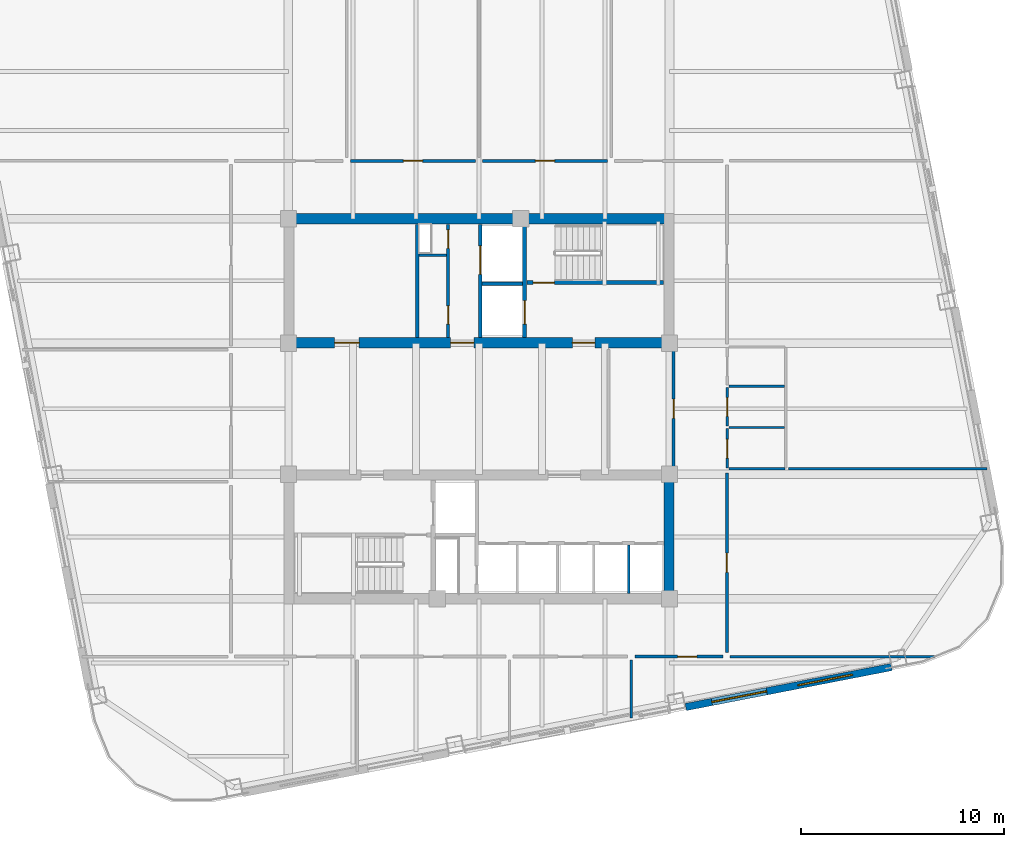
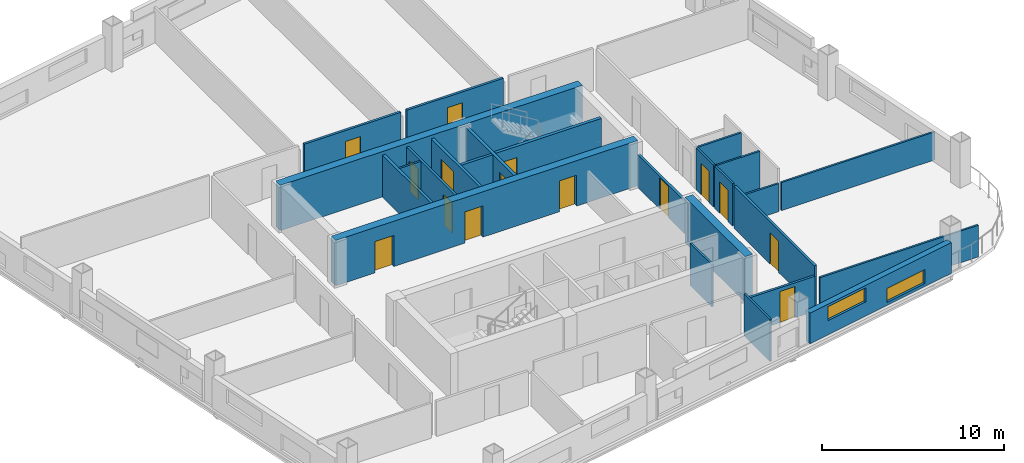
# One storey, part 4 of 9: 25 walls, 15 doors, 2 windows, 17 openings.
"""IFC4 building model written with IfcOpenShell, lengths in metres."""

from ifc_helpers import new_model, si_unit, direction, frame, frame_2d, origin, place, context, subcontext, project, spatial, rectangle, extrude, material, layer, layer_set, type_object, element, fill, save


model = new_model("IFC4")

# Units and contexts
model_context = context("Model", 3, precision=1e-05, world=origin(), true_north=direction((0.0, 1.0)))
body_context = subcontext(model_context, "Body", "Model", "MODEL_VIEW")
ifc_project = project(units=[si_unit("LENGTHUNIT", "METRE"), si_unit("AREAUNIT", "SQUARE_METRE"), si_unit("VOLUMEUNIT", "CUBIC_METRE"), si_unit("PLANEANGLEUNIT", "RADIAN"), si_unit("MASSUNIT", "GRAM", prefix="KILO")], contexts=[model_context])

# Site, building, storey
site_placement = place(None, origin())
site = spatial("IfcSite", under=ifc_project, at=site_placement, CompositionType="ELEMENT")
building_placement = place(site_placement, origin())
building = spatial("IfcBuilding", under=site, at=building_placement, Name="Qhalaya Broadcast Tower", CompositionType="ELEMENT")
storey_placement = place(building_placement, frame((0.0, 0.0, 134.14990234375)))
storey = spatial("IfcBuildingStorey", under=building, at=storey_placement, Name="L39", CompositionType="ELEMENT", Elevation=134.14990234375)

# Wall, openings, doors
ifc_material_1 = material(Name="Gypsum Acoustic Partition")
ifc_layer_1 = layer(ifc_material_1, 0.14990234375, Name="Gypsum Acoustic Partition")
ifc_layer_set_1 = layer_set([ifc_layer_1], Name="Gypsum Acoustic Partition")
wall_type_1 = type_object("IfcWallType", Name="Corridor & Tenancy Acoustic Partition 150", PredefinedType="PARTITIONING", material=ifc_layer_set_1)
wall_1_placement = place(storey_placement, frame((-1.52001953125, 4.1201171875, 0.0), z_axis=(0.0, 0.0, 1.0), x_axis=(0.0, 1.0, 0.0)))
wall_1 = element("IfcWall", 1, at=wall_1_placement, inside=storey, type_object=wall_type_1, Name="L39 Partition Wall NCW-SVL", PredefinedType="PARTITIONING", context=body_context, shape_type="SweptSolid", body=[
    extrude(rectangle(XDim=5.559814453125, YDim=0.14990234375, at=frame_2d((2.77978515625, 0.0))), origin(), (0.0, 0.0, 1.0), 2.830078125),
])
opening_1_placement = place(wall_1_placement, frame((4.3798828125, 0.0, 0.0)))
opening_1 = element("IfcOpeningElement", 2, at=opening_1_placement, cuts=wall_1, Name="Opening D06", PredefinedType="OPENING", context=body_context, shape_type="SweptSolid", body=[
    extrude(rectangle(XDim=0.89990234375, YDim=2.050048828125, at=frame_2d((0.449951171875, 1.02490234375))), frame((0.0, 0.0869140625, 0.0), z_axis=(0.0, -1.0, 0.0), x_axis=(1.0, 0.0, 0.0)), (0.0, 0.0, 1.0), 0.173828125),
])
opening_2_placement = place(wall_1_placement, frame((0.64990234375, 0.0, 0.0)))
opening_2 = element("IfcOpeningElement", 3, at=opening_2_placement, cuts=wall_1, Name="Opening D06", PredefinedType="OPENING", context=body_context, shape_type="SweptSolid", body=[
    extrude(rectangle(XDim=0.89990234375, YDim=2.050048828125, at=frame_2d((0.449951171875, 1.02490234375))), frame((0.0, 0.0869140625, 0.0), z_axis=(0.0, -1.0, 0.0), x_axis=(1.0, 0.0, 0.0)), (0.0, 0.0, 1.0), 0.173828125),
])
ifc_material_2 = material(Name="Fire-Rated Steel Door", Category="steel")
door_type_1 = type_object("IfcDoorType", Name="Riser & Electrical Shaft Access Door D06", OperationType="NOTDEFINED", PredefinedType="DOOR", material=ifc_material_2)
door_1_placement = place(opening_1_placement, origin())
door_1 = element("IfcDoor", 4, at=door_1_placement, inside=storey, type_object=door_type_1, Name="L39 Riser Shaft Access Door D-NRSR", OperationType="SINGLE_SWING_RIGHT", OverallHeight=2.050048828125, OverallWidth=0.89990234375, PredefinedType="DOOR", context=body_context, shape_type="SweptSolid", body=[
    extrude(rectangle(XDim=0.89990234375, YDim=2.050048828125, at=frame_2d((0.449951171875, 1.02490234375))), frame((0.0, 0.02490234375, 0.0), z_axis=(0.0, -1.0, 0.0), x_axis=(1.0, 0.0, 0.0)), (0.0, 0.0, 1.0), 0.050048828125),
])
fill(opening_1, door_1)
door_2_placement = place(opening_2_placement, origin())
door_2 = element("IfcDoor", 5, at=door_2_placement, inside=storey, type_object=door_type_1, Name="L39 Door D-NCST", OperationType="SINGLE_SWING_LEFT", OverallHeight=2.050048828125, OverallWidth=0.89990234375, PredefinedType="DOOR", context=body_context, shape_type="SweptSolid", body=[
    extrude(rectangle(XDim=0.89990234375, YDim=2.050048828125, at=frame_2d((0.449951171875, 1.02490234375))), frame((0.0, 0.02490234375, 0.0), z_axis=(0.0, -1.0, 0.0), x_axis=(1.0, 0.0, 0.0)), (0.0, 0.0, 1.0), 0.050048828125),
])
fill(opening_2, door_2)

# Wall, opening, door
wall_2_placement = place(storey_placement, frame((9.580078125, -2.320068359375, 0.0), z_axis=(0.0, 0.0, 1.0), x_axis=(0.0, 1.0, 0.0)))
wall_2 = element("IfcWall", 6, at=wall_2_placement, inside=storey, type_object=wall_type_1, Name="L39 Partition Wall W-ICHE", PredefinedType="PARTITIONING", context=body_context, shape_type="SweptSolid", body=[
    extrude(rectangle(XDim=5.840087890625, YDim=0.14990234375, at=frame_2d((2.919921875, 0.0))), origin(), (0.0, 0.0, 1.0), 2.197998046875),
])
opening_3_placement = place(wall_2_placement, frame((2.445068359375, 0.0, 0.0)))
opening_3 = element("IfcOpeningElement", 7, at=opening_3_placement, cuts=wall_2, Name="Opening D10", PredefinedType="OPENING", context=body_context, shape_type="SweptSolid", body=[
    extrude(rectangle(XDim=0.949951171875, YDim=2.10009765625, at=frame_2d((0.47509765625, 1.050048828125))), frame((0.0, 0.0869140625, 0.0), z_axis=(0.0, -1.0, 0.0), x_axis=(1.0, 0.0, 0.0)), (0.0, 0.0, 1.0), 0.173828125),
])
ifc_material_3 = material(Name="Timber Veneer Acoustic Door", Category="wood")
door_type_2 = type_object("IfcDoorType", Name="Cellular Office & Edit Booth Door D10", OperationType="NOTDEFINED", PredefinedType="DOOR", material=ifc_material_3)
door_3_placement = place(opening_3_placement, origin())
door_3 = element("IfcDoor", 8, at=door_3_placement, inside=storey, type_object=door_type_2, Name="L39 Door D-ICHE", OperationType="SINGLE_SWING_RIGHT", OverallHeight=2.10009765625, OverallWidth=0.949951171875, PredefinedType="DOOR", context=body_context, shape_type="SweptSolid", body=[
    extrude(rectangle(XDim=0.949951171875, YDim=2.10009765625, at=frame_2d((0.47509765625, 1.050048828125))), frame((0.0, 0.02490234375, 0.0), z_axis=(0.0, -1.0, 0.0), x_axis=(1.0, 0.0, 0.0)), (0.0, 0.0, 1.0), 0.050048828125),
])
fill(opening_3, door_3)

wall_3_placement = place(storey_placement, frame((-6.320068359375, 12.800048828125, 0.0), z_axis=(0.0, 0.0, 1.0), x_axis=(1.0, 0.0, 0.0)))
wall_3 = element("IfcWall", 9, at=wall_3_placement, inside=storey, type_object=wall_type_1, Name="L39 Partition Wall W-COR-02", PredefinedType="PARTITIONING", context=body_context, shape_type="SweptSolid", body=[
    extrude(rectangle(XDim=6.14013671875, YDim=0.14990234375, at=frame_2d((3.070068359375, 0.0))), origin(), (0.0, 0.0, 1.0), 2.830078125),
])
opening_4_placement = place(wall_3_placement, frame((2.594970703125, 0.0, 0.0)))
opening_4 = element("IfcOpeningElement", 10, at=opening_4_placement, cuts=wall_3, Name="Opening D10", PredefinedType="OPENING", context=body_context, shape_type="SweptSolid", body=[
    extrude(rectangle(XDim=0.949951171875, YDim=2.10009765625, at=frame_2d((0.47509765625, 1.050048828125))), frame((0.0, 0.0869140625, 0.0), z_axis=(0.0, -1.0, 0.0), x_axis=(1.0, 0.0, 0.0)), (0.0, 0.0, 1.0), 0.173828125),
])
door_4_placement = place(opening_4_placement, origin())
door_4 = element("IfcDoor", 11, at=door_4_placement, inside=storey, type_object=door_type_2, Name="L39 Door D-RM02", OperationType="SINGLE_SWING_RIGHT", OverallHeight=2.10009765625, OverallWidth=0.949951171875, PredefinedType="DOOR", context=body_context, shape_type="SweptSolid", body=[
    extrude(rectangle(XDim=0.949951171875, YDim=2.10009765625, at=frame_2d((0.47509765625, 1.050048828125))), frame((0.0, 0.02490234375, 0.0), z_axis=(0.0, -1.0, 0.0), x_axis=(1.0, 0.0, 0.0)), (0.0, 0.0, 1.0), 0.050048828125),
])
fill(opening_4, door_4)

wall_4_placement = place(storey_placement, frame((0.179931640625, 12.800048828125, 0.0), z_axis=(0.0, 0.0, 1.0), x_axis=(1.0, 0.0, 0.0)))
wall_4 = element("IfcWall", 12, at=wall_4_placement, inside=storey, type_object=wall_type_1, Name="L39 Partition Wall W-COR-03", PredefinedType="PARTITIONING", context=body_context, shape_type="SweptSolid", body=[
    extrude(rectangle(XDim=6.14013671875, YDim=0.14990234375, at=frame_2d((3.070068359375, 0.0))), origin(), (0.0, 0.0, 1.0), 2.830078125),
])
opening_5_placement = place(wall_4_placement, frame((2.594970703125, 0.0, 0.0)))
opening_5 = element("IfcOpeningElement", 13, at=opening_5_placement, cuts=wall_4, Name="Opening D10", PredefinedType="OPENING", context=body_context, shape_type="SweptSolid", body=[
    extrude(rectangle(XDim=0.949951171875, YDim=2.10009765625, at=frame_2d((0.47509765625, 1.050048828125))), frame((0.0, 0.0869140625, 0.0), z_axis=(0.0, -1.0, 0.0), x_axis=(1.0, 0.0, 0.0)), (0.0, 0.0, 1.0), 0.173828125),
])
door_5_placement = place(opening_5_placement, origin())
door_5 = element("IfcDoor", 14, at=door_5_placement, inside=storey, type_object=door_type_2, Name="L39 Door D-RM03", OperationType="SINGLE_SWING_LEFT", OverallHeight=2.10009765625, OverallWidth=0.949951171875, PredefinedType="DOOR", context=body_context, shape_type="SweptSolid", body=[
    extrude(rectangle(XDim=0.949951171875, YDim=2.10009765625, at=frame_2d((0.47509765625, 1.050048828125))), frame((0.0, 0.02490234375, 0.0), z_axis=(0.0, -1.0, 0.0), x_axis=(1.0, 0.0, 0.0)), (0.0, 0.0, 1.0), 0.050048828125),
])
fill(opening_5, door_5)

wall_5_placement = place(storey_placement, frame((7.679931640625, -11.60009765625, 0.0), z_axis=(0.0, 0.0, 1.0), x_axis=(1.0, 0.0, 0.0)))
wall_5 = element("IfcWall", 15, at=wall_5_placement, inside=storey, type_object=wall_type_1, Name="L39 Partition Wall W-COR-08", PredefinedType="PARTITIONING", context=body_context, shape_type="SweptSolid", body=[
    extrude(rectangle(XDim=4.340087890625, YDim=0.14990234375, at=frame_2d((2.169921875, 0.0))), origin(), (0.0, 0.0, 1.0), 2.34716796875),
])
opening_6_placement = place(wall_5_placement, frame((2.094970703125, 0.0, 0.0)))
opening_6 = element("IfcOpeningElement", 16, at=opening_6_placement, cuts=wall_5, Name="Opening D10", PredefinedType="OPENING", context=body_context, shape_type="SweptSolid", body=[
    extrude(rectangle(XDim=0.949951171875, YDim=2.10009765625, at=frame_2d((0.47509765625, 1.050048828125))), frame((0.0, 0.0869140625, 0.0), z_axis=(0.0, -1.0, 0.0), x_axis=(1.0, 0.0, 0.0)), (0.0, 0.0, 1.0), 0.173828125),
])
door_6_placement = place(opening_6_placement, origin())
door_6 = element("IfcDoor", 17, at=door_6_placement, inside=storey, type_object=door_type_2, Name="L39 Door D-RM08", OperationType="SINGLE_SWING_RIGHT", OverallHeight=2.10009765625, OverallWidth=0.949951171875, PredefinedType="DOOR", context=body_context, shape_type="SweptSolid", body=[
    extrude(rectangle(XDim=0.949951171875, YDim=2.10009765625, at=frame_2d((0.47509765625, 1.050048828125))), frame((0.0, 0.02490234375, 0.0), z_axis=(0.0, -1.0, 0.0), x_axis=(1.0, 0.0, 0.0)), (0.0, 0.0, 1.0), 0.050048828125),
])
fill(opening_6, door_6)

wall_6_placement = place(storey_placement, frame((12.199951171875, -11.39990234375, 0.0), z_axis=(0.0, 0.0, 1.0), x_axis=(0.0, 1.0, 0.0)))
wall_6 = element("IfcWall", 18, at=wall_6_placement, inside=storey, type_object=wall_type_1, Name="L39 Partition Wall W-COR-12", PredefinedType="PARTITIONING", context=body_context, shape_type="SweptSolid", body=[
    extrude(rectangle(XDim=8.83984375, YDim=0.14990234375, at=frame_2d((4.419921875, 0.0))), origin(), (0.0, 0.0, 1.0), 2.830078125),
])
opening_7_placement = place(wall_6_placement, frame((3.945068359375, 0.0, 0.0)))
opening_7 = element("IfcOpeningElement", 19, at=opening_7_placement, cuts=wall_6, Name="Opening D10", PredefinedType="OPENING", context=body_context, shape_type="SweptSolid", body=[
    extrude(rectangle(XDim=0.949951171875, YDim=2.10009765625, at=frame_2d((0.47509765625, 1.050048828125))), frame((0.0, 0.0869140625, 0.0), z_axis=(0.0, -1.0, 0.0), x_axis=(1.0, 0.0, 0.0)), (0.0, 0.0, 1.0), 0.173828125),
])
door_7_placement = place(opening_7_placement, origin())
door_7 = element("IfcDoor", 20, at=door_7_placement, inside=storey, type_object=door_type_2, Name="L39 Door D-RM12", OperationType="SINGLE_SWING_RIGHT", OverallHeight=2.10009765625, OverallWidth=0.949951171875, PredefinedType="DOOR", context=body_context, shape_type="SweptSolid", body=[
    extrude(rectangle(XDim=0.949951171875, YDim=2.10009765625, at=frame_2d((0.47509765625, 1.050048828125))), frame((0.0, 0.02490234375, 0.0), z_axis=(0.0, -1.0, 0.0), x_axis=(1.0, 0.0, 0.0)), (0.0, 0.0, 1.0), 0.050048828125),
])
fill(opening_7, door_7)

# Wall, openings, windows
ifc_material_4 = material(Name="Precast Concrete C40/50", Category="concrete")
ifc_layer_2 = layer(ifc_material_4, 0.360107421875, Name="Precast Concrete C40/50")
ifc_layer_set_2 = layer_set([ifc_layer_2], Name="Precast Concrete C40/50")
wall_type_2 = type_object("IfcWallType", Name="Insulated Precast Terracotta Exterior Wall 360", PredefinedType="SOLIDWALL", material=ifc_layer_set_2)
wall_7_placement = place(storey_placement, frame((20.29638671875, -12.10986328125, 0.0), z_axis=(0.0, 0.0, 1.0), x_axis=(-0.981628941133, -0.190799952646, 0.0)))
wall_7 = element("IfcWall", 21, at=wall_7_placement, inside=storey, type_object=wall_type_2, Name="L39 Exoskeleton Diagrid Infill Wall S1", PredefinedType="SOLIDWALL", context=body_context, shape_type="SweptSolid", body=[
    extrude(rectangle(XDim=10.31201171875, YDim=0.360107421875, at=frame_2d((5.156005859375, 0.0))), origin(), (0.0, 0.0, 1.0), 2.067138671875),
])
opening_8_placement = place(wall_7_placement, frame((1.949951171875, 0.0, 0.199951171875)))
opening_8 = element("IfcOpeningElement", 22, at=opening_8_placement, cuts=wall_7, Name="Opening W11", PredefinedType="OPENING", context=body_context, shape_type="SweptSolid", body=[
    extrude(rectangle(XDim=2.75, YDim=0.949951171875, at=frame_2d((1.375, 0.47509765625))), frame((0.0, 0.192138671875, 0.0), z_axis=(0.0, -1.0, 0.0), x_axis=(1.0, 0.0, 0.0)), (0.0, 0.0, 1.0), 0.384033203125),
])
opening_9_placement = place(wall_7_placement, frame((6.25, 0.0, 0.949951171875)))
opening_9 = element("IfcOpeningElement", 23, at=opening_9_placement, cuts=wall_7, Name="Opening W11", PredefinedType="OPENING", context=body_context, shape_type="SweptSolid", body=[
    extrude(rectangle(XDim=2.75, YDim=0.949951171875, at=frame_2d((1.375, 0.47509765625))), frame((0.0, 0.192138671875, 0.0), z_axis=(0.0, -1.0, 0.0), x_axis=(1.0, 0.0, 0.0)), (0.0, 0.0, 1.0), 0.384033203125),
])
ifc_material_5 = material(Name="Solar-Control Low-E Triple Glazing", Category="glass")
window_type = type_object("IfcWindowType", Name="Odd-Block Diagrid Infill Window W11", PartitioningType="SINGLE_PANEL", PredefinedType="WINDOW", material=ifc_material_5)
window_1_placement = place(opening_8_placement, origin())
window_1 = element("IfcWindow", 24, at=window_1_placement, inside=storey, type_object=window_type, Name="L39 Diagrid Infill Window W11-S1", OverallHeight=0.949951171875, OverallWidth=2.75, PartitioningType="SINGLE_PANEL", PredefinedType="WINDOW", context=body_context, shape_type="SweptSolid", body=[
    extrude(rectangle(XDim=2.75, YDim=0.949951171875, at=frame_2d((1.375, 0.47509765625))), frame((0.0, 0.030029296875, 0.0), z_axis=(0.0, -1.0, 0.0), x_axis=(1.0, 0.0, 0.0)), (0.0, 0.0, 1.0), 0.06005859375),
])
fill(opening_8, window_1)
window_2_placement = place(opening_9_placement, origin())
window_2 = element("IfcWindow", 25, at=window_2_placement, inside=storey, type_object=window_type, Name="L39 Diagrid Infill Window W11-S2", OverallHeight=0.949951171875, OverallWidth=2.75, PartitioningType="SINGLE_PANEL", PredefinedType="WINDOW", context=body_context, shape_type="SweptSolid", body=[
    extrude(rectangle(XDim=2.75, YDim=0.949951171875, at=frame_2d((1.375, 0.47509765625))), frame((0.0, 0.030029296875, 0.0), z_axis=(0.0, -1.0, 0.0), x_axis=(1.0, 0.0, 0.0)), (0.0, 0.0, 1.0), 0.06005859375),
])
fill(opening_9, window_2)

# Wall, opening, door
ifc_material_6 = material(Name="Concrete C50/60", Category="concrete")
ifc_layer_3 = layer(ifc_material_6, 0.199951171875, Name="Concrete C50/60")
ifc_layer_set_3 = layer_set([ifc_layer_3], Name="Concrete C50/60")
wall_type_3 = type_object("IfcWallType", Name="Load-Bearing Stair Shaft Wall 200", PredefinedType="SHEAR", material=ifc_layer_set_3)
wall_8_placement = place(storey_placement, frame((2.360107421875, 6.804931640625, 0.0), z_axis=(0.0, 0.0, 1.0), x_axis=(1.0, 0.0, 0.0)))
wall_8 = element("IfcWall", 26, at=wall_8_placement, inside=storey, type_object=wall_type_3, Name="L39 Stair Core Shear Wall NCW-ST1", PredefinedType="SHEAR", context=body_context, shape_type="SweptSolid", body=[
    extrude(rectangle(XDim=6.719970703125, YDim=0.199951171875, at=frame_2d((3.35986328125, 0.0))), origin(), (0.0, 0.0, 1.0), 2.830078125),
])
opening_10_placement = place(wall_8_placement, frame((0.300048828125, 0.0, 0.0)))
opening_10 = element("IfcOpeningElement", 27, at=opening_10_placement, cuts=wall_8, Name="Opening D03", PredefinedType="OPENING", context=body_context, shape_type="SweptSolid", body=[
    extrude(rectangle(XDim=1.050048828125, YDim=2.080078125, at=frame_2d((0.52490234375, 1.0400390625))), frame((0.0, 0.112060546875, 0.0), z_axis=(0.0, -1.0, 0.0), x_axis=(1.0, 0.0, 0.0)), (0.0, 0.0, 1.0), 0.223876953125),
])
door_type_3 = type_object("IfcDoorType", Name="Core Stair Protected Fire Door D03", OperationType="NOTDEFINED", PredefinedType="DOOR", material=ifc_material_2)
door_8_placement = place(opening_10_placement, origin())
door_8 = element("IfcDoor", 28, at=door_8_placement, inside=storey, type_object=door_type_3, Name="L39 Door D-NST1", OperationType="SINGLE_SWING_LEFT", OverallHeight=2.080078125, OverallWidth=1.050048828125, PredefinedType="DOOR", context=body_context, shape_type="SweptSolid", body=[
    extrude(rectangle(XDim=1.050048828125, YDim=2.080078125, at=frame_2d((0.52490234375, 1.0400390625))), frame((0.0, 0.02490234375, 0.0), z_axis=(0.0, -1.0, 0.0), x_axis=(1.0, 0.0, 0.0)), (0.0, 0.0, 1.0), 0.050048828125),
])
fill(opening_10, door_8)

wall_9_placement = place(storey_placement, frame((2.25, 4.1201171875, 0.0), z_axis=(0.0, 0.0, 1.0), x_axis=(0.0, 1.0, 0.0)))
wall_9 = element("IfcWall", 29, at=wall_9_placement, inside=storey, type_object=wall_type_3, Name="L39 Stair Core Shear Wall NCW-FF", PredefinedType="SHEAR", context=body_context, shape_type="SweptSolid", body=[
    extrude(rectangle(XDim=5.559814453125, YDim=0.199951171875, at=frame_2d((2.77978515625, 0.0))), origin(), (0.0, 0.0, 1.0), 2.830078125),
])
opening_11_placement = place(wall_9_placement, frame((0.64990234375, 0.0, 0.0)))
opening_11 = element("IfcOpeningElement", 30, at=opening_11_placement, cuts=wall_9, Name="Opening LD2", PredefinedType="OPENING", context=body_context, shape_type="SweptSolid", body=[
    extrude(rectangle(XDim=1.14990234375, YDim=2.080078125, at=frame_2d((0.574951171875, 1.0400390625))), frame((0.0, 0.112060546875, 0.0), z_axis=(0.0, -1.0, 0.0), x_axis=(1.0, 0.0, 0.0)), (0.0, 0.0, 1.0), 0.223876953125),
])
ifc_material_7 = material(Name="Brushed Stainless Steel Lift Door", Category="steel")
door_type_4 = type_object("IfcDoorType", Name="Firefighting Lift Sliding Landing Door LD2", OperationType="DOUBLE_DOOR_SLIDING", PredefinedType="DOOR", material=ifc_material_7)
door_9_placement = place(opening_11_placement, origin())
door_9 = element("IfcDoor", 31, at=door_9_placement, inside=storey, type_object=door_type_4, Name="L39 Door LD-FF1", OperationType="DOUBLE_DOOR_SLIDING", OverallHeight=2.080078125, OverallWidth=1.14990234375, PredefinedType="DOOR", context=body_context, shape_type="SweptSolid", body=[
    extrude(rectangle(XDim=1.14990234375, YDim=2.080078125, at=frame_2d((0.574951171875, 1.0400390625))), frame((0.0, 0.02490234375, 0.0), z_axis=(0.0, -1.0, 0.0), x_axis=(1.0, 0.0, 0.0)), (0.0, 0.0, 1.0), 0.050048828125),
])
fill(opening_11, door_9)

# Wall
ifc_layer_4 = layer(ifc_material_6, 0.5, Name="Concrete C50/60")
ifc_layer_set_4 = layer_set([ifc_layer_4], Name="Concrete C50/60")
wall_type_4 = type_object("IfcWallType", Name="Mid Split-Core Shear Wall 500", PredefinedType="SHEAR", material=ifc_layer_set_4)
wall_10_placement = place(storey_placement, frame((-9.60009765625, 9.949951171875, 0.0), z_axis=(0.0, 0.0, 1.0), x_axis=(1.0, 0.0, 0.0)))
element("IfcWall", 32, at=wall_10_placement, inside=storey, type_object=wall_type_4, Name="L39 Split-Core Shear Wall CW-NN", PredefinedType="SHEAR", context=body_context, shape_type="SweptSolid", body=[
    extrude(rectangle(XDim=19.2001953125, YDim=0.5, at=frame_2d((9.60009765625, 0.0))), origin(), (0.0, 0.0, 1.0), 3.050048828125),
])

# Wall, openings, doors
wall_11_placement = place(storey_placement, frame((-9.60009765625, 3.85009765625, 0.0), z_axis=(0.0, 0.0, 1.0), x_axis=(1.0, 0.0, 0.0)))
wall_11 = element("IfcWall", 33, at=wall_11_placement, inside=storey, type_object=wall_type_4, Name="L39 Split-Core Shear Wall CW-NS", PredefinedType="SHEAR", context=body_context, shape_type="SweptSolid", body=[
    extrude(rectangle(XDim=19.2001953125, YDim=0.5, at=frame_2d((9.60009765625, 0.0))), origin(), (0.0, 0.0, 1.0), 3.050048828125),
])
opening_12_placement = place(wall_11_placement, frame((14.199951171875, 0.0, 0.0)))
opening_12 = element("IfcOpeningElement", 34, at=opening_12_placement, cuts=wall_11, Name="Opening D04", PredefinedType="OPENING", context=body_context, shape_type="SweptSolid", body=[
    extrude(rectangle(XDim=1.10009765625, YDim=2.080078125, at=frame_2d((0.550048828125, 1.0400390625))), frame((0.0, 0.261962890625, 0.0), z_axis=(0.0, -1.0, 0.0), x_axis=(1.0, 0.0, 0.0)), (0.0, 0.0, 1.0), 0.52392578125),
])
opening_13_placement = place(wall_11_placement, frame((8.199951171875, 0.0, 0.0)))
opening_13 = element("IfcOpeningElement", 35, at=opening_13_placement, cuts=wall_11, Name="Opening D05", PredefinedType="OPENING", context=body_context, shape_type="SweptSolid", body=[
    extrude(rectangle(XDim=1.14990234375, YDim=2.10009765625, at=frame_2d((0.574951171875, 1.050048828125))), frame((0.0, 0.261962890625, 0.0), z_axis=(0.0, -1.0, 0.0), x_axis=(1.0, 0.0, 0.0)), (0.0, 0.0, 1.0), 0.52392578125),
])
opening_14_placement = place(wall_11_placement, frame((2.5, 0.0, 0.0)))
opening_14 = element("IfcOpeningElement", 36, at=opening_14_placement, cuts=wall_11, Name="Opening D11", PredefinedType="OPENING", context=body_context, shape_type="SweptSolid", body=[
    extrude(rectangle(XDim=1.199951171875, YDim=2.10009765625, at=frame_2d((0.60009765625, 1.050048828125))), frame((0.0, 0.261962890625, 0.0), z_axis=(0.0, -1.0, 0.0), x_axis=(1.0, 0.0, 0.0)), (0.0, 0.0, 1.0), 0.52392578125),
])
ifc_material_8 = material(Name="Anodised Aluminium Glazed Door", Category="aluminium")
door_type_5 = type_object("IfcDoorType", Name="Conference, Boardroom & Studio Control Door D11", OperationType="NOTDEFINED", PredefinedType="DOOR", material=ifc_material_8)
door_10_placement = place(opening_14_placement, origin())
door_10 = element("IfcDoor", 37, at=door_10_placement, inside=storey, type_object=door_type_5, Name="L39 Door D-NREC1", OperationType="SINGLE_SWING_LEFT", OverallHeight=2.10009765625, OverallWidth=1.199951171875, PredefinedType="DOOR", context=body_context, shape_type="SweptSolid", body=[
    extrude(rectangle(XDim=1.199951171875, YDim=2.10009765625, at=frame_2d((0.60009765625, 1.050048828125))), frame((0.0, 0.02490234375, 0.0), z_axis=(0.0, -1.0, 0.0), x_axis=(1.0, 0.0, 0.0)), (0.0, 0.0, 1.0), 0.050048828125),
])
fill(opening_14, door_10)
door_type_6 = type_object("IfcDoorType", Name="Firefighting Lobby Rated Door D04", OperationType="NOTDEFINED", PredefinedType="DOOR", material=ifc_material_2)
door_11_placement = place(opening_12_placement, origin())
door_11 = element("IfcDoor", 38, at=door_11_placement, inside=storey, type_object=door_type_6, Name="L39 Door D-NFF", OperationType="SINGLE_SWING_RIGHT", OverallHeight=2.080078125, OverallWidth=1.10009765625, PredefinedType="DOOR", context=body_context, shape_type="SweptSolid", body=[
    extrude(rectangle(XDim=1.10009765625, YDim=2.080078125, at=frame_2d((0.550048828125, 1.0400390625))), frame((0.0, 0.02490234375, 0.0), z_axis=(0.0, -1.0, 0.0), x_axis=(1.0, 0.0, 0.0)), (0.0, 0.0, 1.0), 0.050048828125),
])
fill(opening_12, door_11)
door_type_7 = type_object("IfcDoorType", Name="Refuge & Plant Room Fire Door D05", OperationType="NOTDEFINED", PredefinedType="DOOR", material=ifc_material_2)
door_12_placement = place(opening_13_placement, origin())
door_12 = element("IfcDoor", 39, at=door_12_placement, inside=storey, type_object=door_type_7, Name="L39 Door D-NSVL", OperationType="SINGLE_SWING_LEFT", OverallHeight=2.10009765625, OverallWidth=1.14990234375, PredefinedType="DOOR", context=body_context, shape_type="SweptSolid", body=[
    extrude(rectangle(XDim=1.14990234375, YDim=2.10009765625, at=frame_2d((0.574951171875, 1.050048828125))), frame((0.0, 0.02490234375, 0.0), z_axis=(0.0, -1.0, 0.0), x_axis=(1.0, 0.0, 0.0)), (0.0, 0.0, 1.0), 0.050048828125),
])
fill(opening_13, door_12)

# Walls
wall_12_placement = place(storey_placement, frame((9.35009765625, -9.0, 0.0), z_axis=(0.0, 0.0, 1.0), x_axis=(0.0, 1.0, 0.0)))
element("IfcWall", 40, at=wall_12_placement, inside=storey, type_object=wall_type_4, Name="L39 Split-Core Shear Wall CW-SE", PredefinedType="SHEAR", context=body_context, shape_type="SweptSolid", body=[
    extrude(rectangle(XDim=6.60009765625, YDim=0.5, at=frame_2d((3.300048828125, 0.0))), origin(), (0.0, 0.0, 1.0), 3.050048828125),
])
ifc_layer_5 = layer(ifc_material_1, 0.1201171875, Name="Gypsum Acoustic Partition")
ifc_layer_set_5 = layer_set([ifc_layer_5], Name="Gypsum Acoustic Partition")
wall_type_5 = type_object("IfcWallType", Name="Office, Booth & Sanitary Partition 120", PredefinedType="PARTITIONING", material=ifc_layer_set_5)
wall_13_placement = place(storey_placement, frame((-2.9599609375, 8.14990234375, 0.0), z_axis=(0.0, 0.0, 1.0), x_axis=(1.0, 0.0, 0.0)))
element("IfcWall", 41, at=wall_13_placement, inside=storey, type_object=wall_type_5, Name="L39 Partition Wall NCW-VA", PredefinedType="PARTITIONING", context=body_context, shape_type="SweptSolid", body=[
    extrude(rectangle(XDim=1.35986328125, YDim=0.1201171875, at=frame_2d((0.679931640625, 0.0))), origin(), (0.0, 0.0, 1.0), 2.830078125),
])
wall_14_placement = place(storey_placement, frame((7.360107421875, -8.47998046875, 0.0), z_axis=(0.0, 0.0, 1.0), x_axis=(0.0, 1.0, 0.0)))
element("IfcWall", 42, at=wall_14_placement, inside=storey, type_object=wall_type_5, Name="L39 Partition Wall SCW-HD7", PredefinedType="PARTITIONING", context=body_context, shape_type="SweptSolid", body=[
    extrude(rectangle(XDim=2.3798828125, YDim=0.1201171875, at=frame_2d((1.18994140625, 0.0))), origin(), (0.0, 0.0, 1.0), 2.830078125),
])

# Wall, opening, door
wall_15_placement = place(storey_placement, frame((12.219970703125, -2.320068359375, 0.0), z_axis=(0.0, 0.0, 1.0), x_axis=(0.0, 1.0, 0.0)))
wall_15 = element("IfcWall", 43, at=wall_15_placement, inside=storey, type_object=wall_type_5, Name="L39 Partition Wall W-WCWA", PredefinedType="PARTITIONING", context=body_context, shape_type="SweptSolid", body=[
    extrude(rectangle(XDim=1.940185546875, YDim=0.1201171875, at=frame_2d((0.97021484375, 0.0))), origin(), (0.0, 0.0, 1.0), 2.830078125),
])
opening_15_placement = place(wall_15_placement, frame((0.4951171875, 0.0, 0.0)))
opening_15 = element("IfcOpeningElement", 44, at=opening_15_placement, cuts=wall_15, Name="Opening D12", PredefinedType="OPENING", context=body_context, shape_type="SweptSolid", body=[
    extrude(rectangle(XDim=0.919921875, YDim=2.10009765625, at=frame_2d((0.4599609375, 1.050048828125))), frame((0.0, 0.072021484375, 0.0), z_axis=(0.0, -1.0, 0.0), x_axis=(1.0, 0.0, 0.0)), (0.0, 0.0, 1.0), 0.14404296875),
])
door_type_8 = type_object("IfcDoorType", Name="Accessible WC & Restroom Door D12", OperationType="NOTDEFINED", PredefinedType="DOOR", material=ifc_material_3)
door_13_placement = place(opening_15_placement, origin())
door_13 = element("IfcDoor", 45, at=door_13_placement, inside=storey, type_object=door_type_8, Name="L39 Door D-WCA", OperationType="SINGLE_SWING_LEFT", OverallHeight=2.10009765625, OverallWidth=0.919921875, PredefinedType="DOOR", context=body_context, shape_type="SweptSolid", body=[
    extrude(rectangle(XDim=0.919921875, YDim=2.10009765625, at=frame_2d((0.4599609375, 1.050048828125))), frame((0.0, 0.02490234375, 0.0), z_axis=(0.0, -1.0, 0.0), x_axis=(1.0, 0.0, 0.0)), (0.0, 0.0, 1.0), 0.050048828125),
])
fill(opening_15, door_13)

wall_16_placement = place(storey_placement, frame((12.219970703125, -0.25, 0.0), z_axis=(0.0, 0.0, 1.0), x_axis=(0.0, 1.0, 0.0)))
wall_16 = element("IfcWall", 46, at=wall_16_placement, inside=storey, type_object=wall_type_5, Name="L39 Partition Wall W-WCWM", PredefinedType="PARTITIONING", context=body_context, shape_type="SweptSolid", body=[
    extrude(rectangle(XDim=1.89990234375, YDim=0.1201171875, at=frame_2d((0.949951171875, 0.0))), origin(), (0.0, 0.0, 1.0), 2.830078125),
])
opening_16_placement = place(wall_16_placement, frame((0.47509765625, 0.0, 0.0)))
opening_16 = element("IfcOpeningElement", 47, at=opening_16_placement, cuts=wall_16, Name="Opening D12", PredefinedType="OPENING", context=body_context, shape_type="SweptSolid", body=[
    extrude(rectangle(XDim=0.919921875, YDim=2.10009765625, at=frame_2d((0.4599609375, 1.050048828125))), frame((0.0, 0.072021484375, 0.0), z_axis=(0.0, -1.0, 0.0), x_axis=(1.0, 0.0, 0.0)), (0.0, 0.0, 1.0), 0.14404296875),
])
door_14_placement = place(opening_16_placement, origin())
door_14 = element("IfcDoor", 48, at=door_14_placement, inside=storey, type_object=door_type_8, Name="L39 Door D-WCM", OperationType="SINGLE_SWING_RIGHT", OverallHeight=2.10009765625, OverallWidth=0.919921875, PredefinedType="DOOR", context=body_context, shape_type="SweptSolid", body=[
    extrude(rectangle(XDim=0.919921875, YDim=2.10009765625, at=frame_2d((0.4599609375, 1.050048828125))), frame((0.0, 0.02490234375, 0.0), z_axis=(0.0, -1.0, 0.0), x_axis=(1.0, 0.0, 0.0)), (0.0, 0.0, 1.0), 0.050048828125),
])
fill(opening_16, door_14)

# Walls
wall_17_placement = place(storey_placement, frame((12.31005859375, -2.35009765625, 0.0), z_axis=(0.0, 0.0, 1.0), x_axis=(1.0, 0.0, 0.0)))
element("IfcWall", 49, at=wall_17_placement, inside=storey, type_object=wall_type_5, Name="L39 Partition Wall W-WCS", PredefinedType="PARTITIONING", context=body_context, shape_type="SweptSolid", body=[
    extrude(rectangle(XDim=2.760009765625, YDim=0.1201171875, at=frame_2d((1.3798828125, 0.0))), origin(), (0.0, 0.0, 1.0), 1.883056640625),
])
for number, where, z_axis, x_axis, name in (
    (50, (12.31005859375, -0.320068359375, 0.0), (0.0, 0.0, 1.0), (1.0, 0.0, 0.0), "L39 Partition Wall W-WCD1"),
    (51, (12.31005859375, 1.719970703125, 0.0), (0.0, 0.0, 1.0), (1.0, 0.0, 0.0), "L39 Partition Wall W-WCD2"),
):
    element("IfcWall", number, at=place(storey_placement, frame(where, z_axis=z_axis, x_axis=x_axis)), inside=storey, type_object=wall_type_5, Name=name, PredefinedType="PARTITIONING", context=body_context, shape_type="SweptSolid", body=[
        extrude(rectangle(XDim=2.719970703125, YDim=0.1201171875, at=frame_2d((1.35986328125, 0.0))), origin(), (0.0, 0.0, 1.0), 2.830078125),
    ])
wall_18_placement = place(storey_placement, frame((12.340087890625, -11.60009765625, 0.0), z_axis=(0.0, 0.0, 1.0), x_axis=(1.0, 0.0, 0.0)))
element("IfcWall", 52, at=wall_18_placement, inside=storey, type_object=wall_type_5, Name="L39 Partition Wall W-BNDE2", PredefinedType="PARTITIONING", context=body_context, shape_type="SweptSolid", body=[
    extrude(rectangle(XDim=10.06640625, YDim=0.1201171875, at=frame_2d((5.033203125, 0.0))), origin(), (0.0, 0.0, 1.0), 2.127197265625),
])
wall_19_placement = place(storey_placement, frame((7.5, -14.617431640625, 0.0), z_axis=(0.0, 0.0, 1.0), x_axis=(0.0, 1.0, 0.0)))
element("IfcWall", 53, at=wall_19_placement, inside=storey, type_object=wall_type_5, Name="L39 Partition Wall W-DIVS3", PredefinedType="PARTITIONING", context=body_context, shape_type="SweptSolid", body=[
    extrude(rectangle(XDim=2.857421875, YDim=0.1201171875, at=frame_2d((1.4287109375, 0.0))), origin(), (0.0, 0.0, 1.0), 2.830078125),
])
wall_20_placement = place(storey_placement, frame((15.239990234375, -2.35009765625, 0.0), z_axis=(0.0, 0.0, 1.0), x_axis=(1.0, 0.0, 0.0)))
element("IfcWall", 54, at=wall_20_placement, inside=storey, type_object=wall_type_5, Name="L39 Partition Wall W-DIVE-WC", PredefinedType="PARTITIONING", context=body_context, shape_type="SweptSolid", body=[
    extrude(rectangle(XDim=9.748291015625, YDim=0.1201171875, at=frame_2d((4.8740234375, 0.0))), origin(), (0.0, 0.0, 1.0), 1.883056640625),
])

# Wall, opening, door
ifc_layer_6 = layer(ifc_material_1, 0.175048828125, Name="Gypsum Acoustic Partition")
ifc_layer_set_6 = layer_set([ifc_layer_6], Name="Gypsum Acoustic Partition")
wall_type_6 = type_object("IfcWallType", Name="Shaft & Riser Fire Partition 175", PredefinedType="PARTITIONING", material=ifc_layer_set_6)
wall_21_placement = place(storey_placement, frame((0.06005859375, 4.1201171875, 0.0), z_axis=(0.0, 0.0, 1.0), x_axis=(0.0, 1.0, 0.0)))
wall_21 = element("IfcWall", 55, at=wall_21_placement, inside=storey, type_object=wall_type_6, Name="L39 Partition Wall NCW-SVW", PredefinedType="PARTITIONING", context=body_context, shape_type="SweptSolid", body=[
    extrude(rectangle(XDim=5.559814453125, YDim=0.175048828125, at=frame_2d((2.77978515625, 0.0))), origin(), (0.0, 0.0, 1.0), 2.830078125),
])
opening_17_placement = place(wall_21_placement, frame((3.10009765625, 0.0, 0.0)))
opening_17 = element("IfcOpeningElement", 56, at=opening_17_placement, cuts=wall_21, Name="Opening LD3", PredefinedType="OPENING", context=body_context, shape_type="SweptSolid", body=[
    extrude(rectangle(XDim=1.39990234375, YDim=2.1201171875, at=frame_2d((0.699951171875, 1.06005859375))), frame((0.0, 0.099609375, 0.0), z_axis=(0.0, -1.0, 0.0), x_axis=(1.0, 0.0, 0.0)), (0.0, 0.0, 1.0), 0.198974609375),
])
door_type_9 = type_object("IfcDoorType", Name="Service Lift Wide Sliding Landing Door LD3", OperationType="DOUBLE_DOOR_SLIDING", PredefinedType="DOOR", material=ifc_material_7)
door_15_placement = place(opening_17_placement, origin())
door_15 = element("IfcDoor", 57, at=door_15_placement, inside=storey, type_object=door_type_9, Name="L39 Door LD-SV1", OperationType="DOUBLE_DOOR_SLIDING", OverallHeight=2.1201171875, OverallWidth=1.39990234375, PredefinedType="DOOR", context=body_context, shape_type="SweptSolid", body=[
    extrude(rectangle(XDim=1.39990234375, YDim=2.1201171875, at=frame_2d((0.699951171875, 1.06005859375))), frame((0.0, 0.02490234375, 0.0), z_axis=(0.0, -1.0, 0.0), x_axis=(1.0, 0.0, 0.0)), (0.0, 0.0, 1.0), 0.050048828125),
])
fill(opening_17, door_15)

# Walls
wall_22_placement = place(storey_placement, frame((0.159912109375, 6.75, 0.0), z_axis=(0.0, 0.0, 1.0), x_axis=(1.0, 0.0, 0.0)))
element("IfcWall", 58, at=wall_22_placement, inside=storey, type_object=wall_type_6, Name="L39 Partition Wall NCW-SVM", PredefinedType="PARTITIONING", context=body_context, shape_type="SweptSolid", body=[
    extrude(rectangle(XDim=1.97998046875, YDim=0.175048828125, at=frame_2d((0.989990234375, 0.0))), origin(), (0.0, 0.0, 1.0), 2.830078125),
])
wall_23_placement = place(storey_placement, frame((-3.0400390625, 4.1201171875, 0.0), z_axis=(0.0, 0.0, 1.0), x_axis=(0.0, 1.0, 0.0)))
element("IfcWall", 59, at=wall_23_placement, inside=storey, type_object=wall_type_6, Name="L39 Partition Wall NCW-VRW", PredefinedType="PARTITIONING", context=body_context, shape_type="SweptSolid", body=[
    extrude(rectangle(XDim=5.559814453125, YDim=0.175048828125, at=frame_2d((2.77978515625, 0.0))), origin(), (0.0, 0.0, 1.0), 2.830078125),
])

save(model, "model.ifc")
